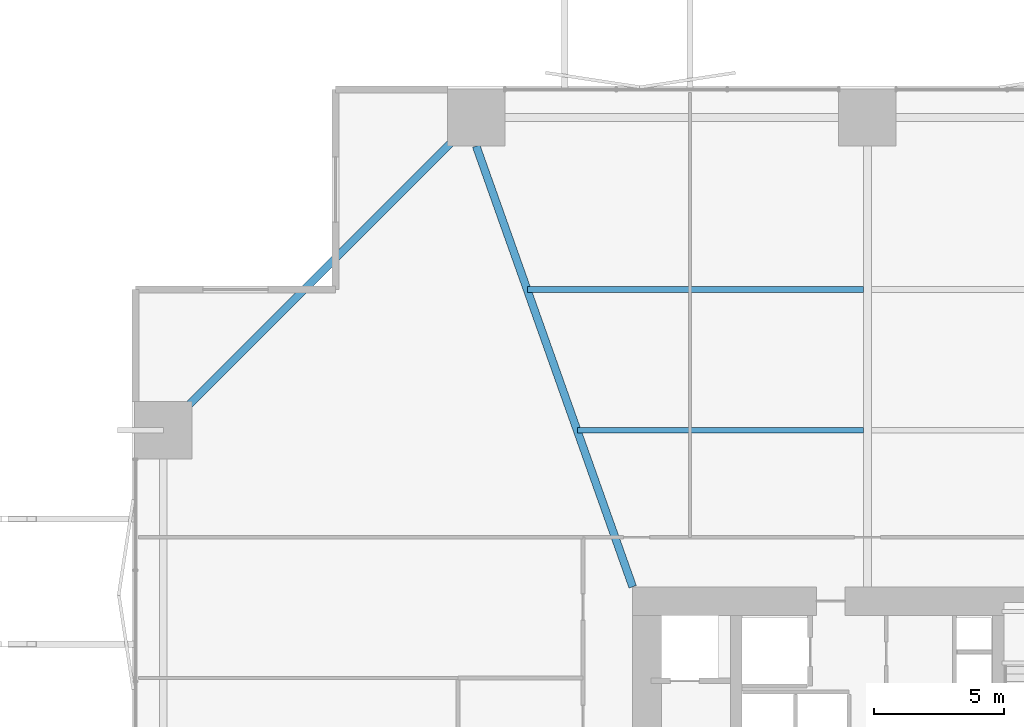
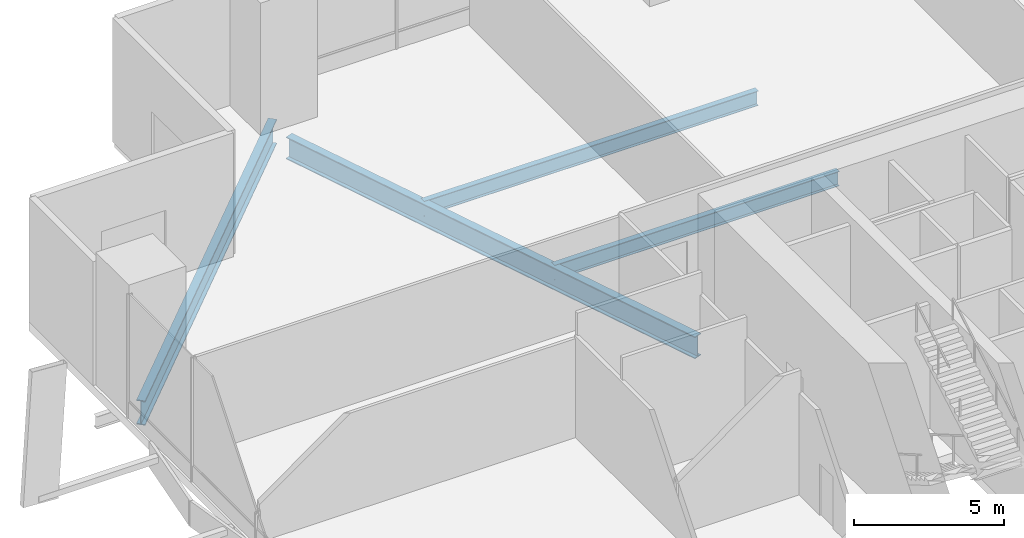
# One storey, part 12 of 24: 4 beams.
"""IFC4 building model written with IfcOpenShell, lengths in metres."""

from ifc_helpers import new_model, si_unit, direction, frame, origin, origin_2d, place, context, subcontext, project, spatial, i_section, extrude, material, material_profile, profile_set, type_object, element, save


model = new_model("IFC4")

# Units and contexts
model_context = context("Model", 3, precision=1e-05, world=origin(), true_north=direction((0.0, 1.0)))
body_context = subcontext(model_context, "Body", "Model", "MODEL_VIEW")
ifc_project = project(units=[si_unit("LENGTHUNIT", "METRE"), si_unit("AREAUNIT", "SQUARE_METRE"), si_unit("VOLUMEUNIT", "CUBIC_METRE"), si_unit("PLANEANGLEUNIT", "RADIAN"), si_unit("MASSUNIT", "GRAM", prefix="KILO")], contexts=[model_context])

# Site, building, storey
site_placement = place(None, origin())
site = spatial("IfcSite", under=ifc_project, at=site_placement, CompositionType="ELEMENT")
building_placement = place(site_placement, origin())
building = spatial("IfcBuilding", under=site, at=building_placement, Name="Belovzor Exchange Tower", CompositionType="ELEMENT")
storey_placement = place(building_placement, frame((0.0, 0.0, 8.39990234375)))
storey = spatial("IfcBuildingStorey", under=building, at=storey_placement, Name="L02", CompositionType="ELEMENT", Elevation=8.39990234375)

# Beams
ifc_material_1 = material(Name="Steel S460", Category="steel")
ifc_material_profile_1 = material_profile(ifc_material_1, i_section(OverallWidth=0.300048828125, OverallDepth=1.0, WebThickness=0.02099609375, FlangeThickness=0.0400390625, at=origin_2d()))
ifc_profile_set_1 = profile_set([ifc_material_profile_1], Name="Steel S460")
beam_type_1 = type_object("IfcBeamType", Name="Podium Exchange Hall Ring Girder HEM 1000", PredefinedType="BEAM", material=ifc_profile_set_1)
beam_1_placement = place(storey_placement, frame((13.800048828125, 55.800048828125, -0.849853515625), z_axis=(-0.707106781187, -0.707106781187, 0.0), x_axis=(0.707106781187, -0.707106781187, 0.0)))
element("IfcBeam", 1, at=beam_1_placement, inside=storey, type_object=beam_type_1, Name="PG-1 Podium Exchange Hall Ring Girder HEM 1000", PredefinedType="BEAM", context=body_context, shape_type="SweptSolid", body=[
    extrude(i_section(OverallWidth=0.300048828125, OverallDepth=1.0, WebThickness=0.02099609375, FlangeThickness=0.0400390625, at=origin_2d()), origin(), (0.0, 0.0, 1.0), 16.970458984375),
])
ifc_material_2 = material(Name="Steel S460", Category="steel")
ifc_material_profile_2 = material_profile(ifc_material_2, i_section(OverallWidth=0.300048828125, OverallDepth=0.89990234375, WebThickness=0.0185546875, FlangeThickness=0.034912109375, at=origin_2d()))
ifc_profile_set_2 = profile_set([ifc_material_profile_2], Name="Steel S460")
beam_type_2 = type_object("IfcBeamType", Name="Podium Radial Clear-Span Girder HEB 900", PredefinedType="BEAM", material=ifc_profile_set_2)
beam_2_placement = place(storey_placement, frame((19.800048828125, 37.800048828125, -0.7998046875), z_axis=(-0.334571317861, 0.942370433144, 0.0), x_axis=(-0.942370433144, -0.334571317861, 0.0)))
element("IfcBeam", 2, at=beam_2_placement, inside=storey, type_object=beam_type_2, Name="PG-2 Podium Radial Clear-Span Girder HEB 900", PredefinedType="BEAM", context=body_context, shape_type="SweptSolid", body=[
    extrude(i_section(OverallWidth=0.300048828125, OverallDepth=0.89990234375, WebThickness=0.0185546875, FlangeThickness=0.034912109375, at=origin_2d()), origin(), (0.0, 0.0, 1.0), 17.933349609375),
])
ifc_material_3 = material(Name="Steel S355", Category="steel")
ifc_material_profile_3 = material_profile(ifc_material_3, i_section(OverallWidth=0.219970703125, OverallDepth=0.60009765625, WebThickness=0.011962890625, FlangeThickness=0.01904296875, at=origin_2d()))
ifc_profile_set_3 = profile_set([ifc_material_profile_3], Name="Steel S355")
beam_type_3 = type_object("IfcBeamType", Name="Podium Secondary Composite Floor Beam IPE 600", PredefinedType="BEAM", material=ifc_profile_set_3)
beam_3_placement = place(storey_placement, frame((17.68994140625, 43.800048828125, -0.64990234375), z_axis=(1.0, 0.0, 0.0), x_axis=(0.0, 1.0, 0.0)))
element("IfcBeam", 3, at=beam_3_placement, inside=storey, type_object=beam_type_3, Name="FB-600 Podium Secondary Composite Floor Beam IPE 600", PredefinedType="BEAM", context=body_context, shape_type="SweptSolid", body=[
    extrude(i_section(OverallWidth=0.219970703125, OverallDepth=0.60009765625, WebThickness=0.011962890625, FlangeThickness=0.01904296875, at=origin_2d()), origin(), (0.0, 0.0, 1.0), 10.9599609375),
])
beam_4_placement = place(storey_placement, frame((15.77294921875, 49.199951171875, -0.64990234375), z_axis=(1.0, 0.0, 0.0), x_axis=(0.0, 1.0, 0.0)))
element("IfcBeam", 4, at=beam_4_placement, inside=storey, type_object=beam_type_3, Name="FB-600 Podium Secondary Composite Floor Beam IPE 600", PredefinedType="BEAM", context=body_context, shape_type="SweptSolid", body=[
    extrude(i_section(OverallWidth=0.219970703125, OverallDepth=0.60009765625, WebThickness=0.011962890625, FlangeThickness=0.01904296875, at=origin_2d()), origin(), (0.0, 0.0, 1.0), 12.876953125),
])

save(model, "model.ifc")
